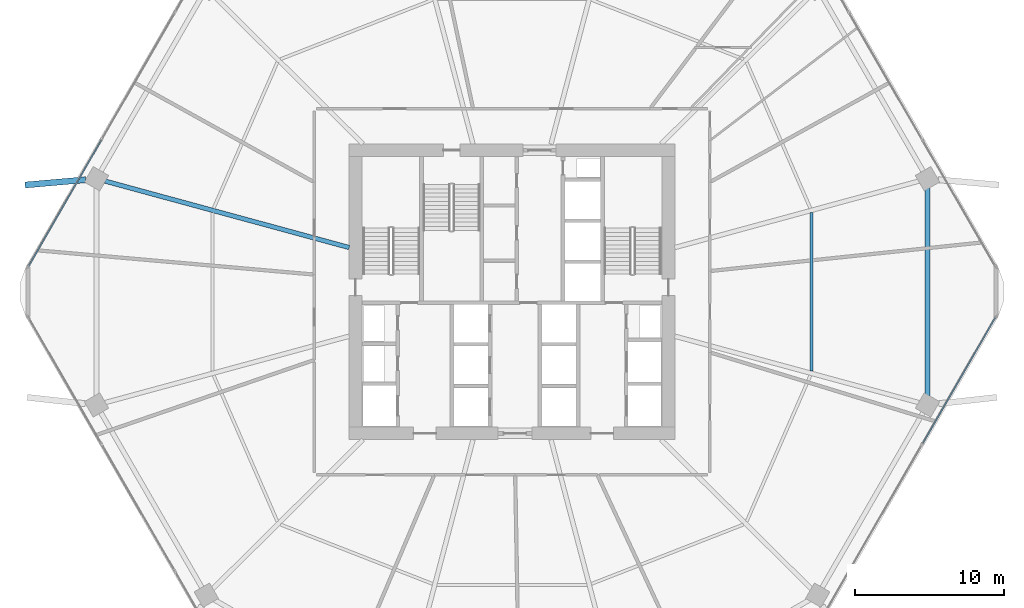
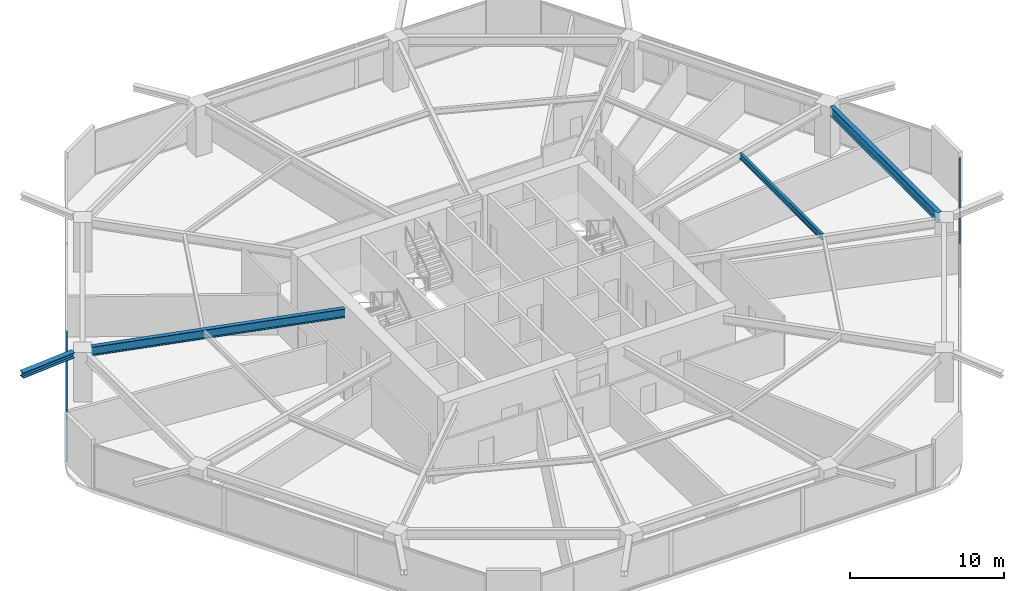
# One storey, part 12 of 25: 4 beams, 4 members, 2 elements without a shape of their own.
"""IFC4 building model written with IfcOpenShell, lengths in metres."""

from ifc_helpers import new_model, si_unit, direction, frame, origin, origin_2d, place, context, subcontext, project, spatial, hollow_rectangle, i_section, extrude, material, material_profile, profile_set, type_object, element, aggregate, save


model = new_model("IFC4")

# Units and contexts
model_context = context("Model", 3, precision=1e-05, world=origin(), true_north=direction((0.0, 1.0)))
body_context = subcontext(model_context, "Body", "Model", "MODEL_VIEW")
ifc_project = project(units=[si_unit("LENGTHUNIT", "METRE"), si_unit("AREAUNIT", "SQUARE_METRE"), si_unit("VOLUMEUNIT", "CUBIC_METRE"), si_unit("PLANEANGLEUNIT", "RADIAN"), si_unit("MASSUNIT", "GRAM", prefix="KILO")], contexts=[model_context])

# Site, building, storey
site_placement = place(None, origin())
site = spatial("IfcSite", under=ifc_project, at=site_placement, CompositionType="ELEMENT")
building_placement = place(site_placement, origin())
building = spatial("IfcBuilding", under=site, at=building_placement, Name="Zuhravey Tower", CompositionType="ELEMENT")
storey_placement = place(building_placement, frame((0.0, 0.0, 54.0)))
storey = spatial("IfcBuildingStorey", under=building, at=storey_placement, Name="L13", CompositionType="ELEMENT", Elevation=54.0)

# Curtain wall, members
ifc_material_1 = material(Name="Thermally broken anodised aluminium", Category="aluminium")
curtain_wall_type = type_object("IfcCurtainWallType", Name="School Low-E Unitised Curtain Wall CW1", PredefinedType="NOTDEFINED", material=ifc_material_1)
curtain_wall_1_placement = place(storey_placement, origin())
curtain_wall_1 = element("IfcCurtainWall", 1, at=curtain_wall_1_placement, inside=storey, type_object=curtain_wall_type, Name="L13 CW1 CW-L13-F6-1", PredefinedType="NOTDEFINED")
ifc_material_2 = material(Name="Anodised aluminium", Category="aluminium")
ifc_material_profile_1 = material_profile(ifc_material_2, hollow_rectangle(XDim=0.090087890625, YDim=0.14990234375, WallThickness=0.0048828125, at=origin_2d()), Name="ALU-RHS-90x150x5")
ifc_profile_set_1 = profile_set([ifc_material_profile_1], Name="Anodised aluminium")
member_type = type_object("IfcMemberType", Name="Curtain-Wall Transom 90x150", PredefinedType="USERDEFINED", material=ifc_profile_set_1)
member_1_placement = place(storey_placement, frame((68.43359375, 30.259521484375, 0.044921875), z_axis=(-0.500008393077, -0.866020557985, 0.0), x_axis=(0.866020557985, -0.500008393077, 0.0)))
member_1 = element("IfcMember", 2, at=member_1_placement, type_object=member_type, Name="CW1 transom 1.1", ObjectType="TRANSOM", PredefinedType="USERDEFINED", context=body_context, shape_type="SweptSolid", body=[
    extrude(hollow_rectangle(XDim=0.090087890625, YDim=0.14990234375, WallThickness=0.0048828125, at=origin_2d()), origin(), (0.0, 0.0, 1.0), 9.731201171875),
])
member_2_placement = place(storey_placement, frame((68.43359375, 30.259521484375, 3.447021484375), z_axis=(-0.500008393077, -0.866020557985, 0.0), x_axis=(0.866020557985, -0.500008393077, 0.0)))
member_2 = element("IfcMember", 3, at=member_2_placement, type_object=member_type, Name="CW1 transom 1.2", ObjectType="TRANSOM", PredefinedType="USERDEFINED", context=body_context, shape_type="SweptSolid", body=[
    extrude(hollow_rectangle(XDim=0.090087890625, YDim=0.14990234375, WallThickness=0.0048828125, at=origin_2d()), origin(), (0.0, 0.0, 1.0), 9.731201171875),
])
aggregate(curtain_wall_1, [member_1, member_2])

curtain_wall_2_placement = place(storey_placement, origin())
curtain_wall_2 = element("IfcCurtainWall", 4, at=curtain_wall_2_placement, inside=storey, type_object=curtain_wall_type, Name="L13 CW1 CW-L13-F3-1", PredefinedType="NOTDEFINED")
member_3_placement = place(storey_placement, frame((3.56640625, 33.740478515625, 0.044921875), z_axis=(0.500008393077, 0.866020557985, 0.0), x_axis=(-0.866020557985, 0.500008393077, 0.0)))
member_3 = element("IfcMember", 5, at=member_3_placement, type_object=member_type, Name="CW1 transom 1.1", ObjectType="TRANSOM", PredefinedType="USERDEFINED", context=body_context, shape_type="SweptSolid", body=[
    extrude(hollow_rectangle(XDim=0.090087890625, YDim=0.14990234375, WallThickness=0.0048828125, at=origin_2d()), origin(), (0.0, 0.0, 1.0), 9.731201171875),
])
member_4_placement = place(storey_placement, frame((3.56640625, 33.740478515625, 3.447021484375), z_axis=(0.500008393077, 0.866020557985, 0.0), x_axis=(-0.866020557985, 0.500008393077, 0.0)))
member_4 = element("IfcMember", 6, at=member_4_placement, type_object=member_type, Name="CW1 transom 1.2", ObjectType="TRANSOM", PredefinedType="USERDEFINED", context=body_context, shape_type="SweptSolid", body=[
    extrude(hollow_rectangle(XDim=0.090087890625, YDim=0.14990234375, WallThickness=0.0048828125, at=origin_2d()), origin(), (0.0, 0.0, 1.0), 9.731201171875),
])
aggregate(curtain_wall_2, [member_3, member_4])

# Beams
ifc_material_3 = material(Name="Steel SM460", Category="steel")
ifc_material_profile_2 = material_profile(ifc_material_3, i_section(OverallWidth=0.406982421875, OverallDepth=0.427978515625, WebThickness=0.02001953125, FlangeThickness=0.034912109375, at=origin_2d()), Name="H-428x407x20x35")
ifc_profile_set_2 = profile_set([ifc_material_profile_2], Name="Steel SM460")
beam_type_1 = type_object("IfcBeamType", Name="Exoskeleton Node Tie Beam H428x407", PredefinedType="BEAM", material=ifc_profile_set_2)
beam_1_placement = place(storey_placement, frame((7.377197265625, 39.52734375, 3.7060546875), z_axis=(-0.99618094896, -0.087312753533, 0.0), x_axis=(0.087312753533, -0.99618094896, 0.0)))
element("IfcBeam", 7, at=beam_1_placement, inside=storey, type_object=beam_type_1, Name="L13 Exoskeleton Node Tie NT1-06", PredefinedType="BEAM", context=body_context, shape_type="SweptSolid", body=[
    extrude(i_section(OverallWidth=0.406982421875, OverallDepth=0.427978515625, WebThickness=0.02001953125, FlangeThickness=0.034912109375, at=origin_2d()), origin(), (0.0, 0.0, 1.0), 4.0712890625),
])
ifc_material_4 = material(Name="Steel SM355", Category="steel")
ifc_material_profile_3 = material_profile(ifc_material_4, i_section(OverallWidth=0.320068359375, OverallDepth=0.75, WebThickness=0.013916015625, FlangeThickness=0.02490234375, at=origin_2d()), Name="H-750x320x14x25")
ifc_profile_set_3 = profile_set([ifc_material_profile_3], Name="Steel SM355")
beam_type_2 = type_object("IfcBeamType", Name="Perimeter Ring Beam H750x320", PredefinedType="BEAM", material=ifc_profile_set_3)
beam_2_placement = place(storey_placement, frame((63.88916015625, 25.011474609375, 3.544921875), z_axis=(0.0, 1.0, 0.0), x_axis=(-1.0, 0.0, 0.0)))
element("IfcBeam", 8, at=beam_2_placement, inside=storey, type_object=beam_type_2, Name="L13 PB1 BM-L13-PB-12", PredefinedType="BEAM", context=body_context, shape_type="SweptSolid", body=[
    extrude(i_section(OverallWidth=0.320068359375, OverallDepth=0.75, WebThickness=0.013916015625, FlangeThickness=0.02490234375, at=origin_2d()), origin(), (0.0, 0.0, 1.0), 13.97705078125),
])
ifc_material_profile_4 = material_profile(ifc_material_4, i_section(OverallWidth=0.300048828125, OverallDepth=0.699951171875, WebThickness=0.012939453125, FlangeThickness=0.02392578125, at=origin_2d()), Name="H-700x300x13x24")
ifc_profile_set_4 = profile_set([ifc_material_profile_4], Name="Steel SM355")
beam_type_3 = type_object("IfcBeamType", Name="Radial Primary Girder H700x300", PredefinedType="BEAM", material=ifc_profile_set_4)
beam_3_placement = place(storey_placement, frame((25.072021484375, 34.974609375, 3.570068359375), z_axis=(-0.964892480455, 0.26264520015, 0.0), x_axis=(-0.26264520015, -0.964892480455, 0.0)))
element("IfcBeam", 9, at=beam_3_placement, inside=storey, type_object=beam_type_3, Name="L13 RG1 BM-L13-RAD-06", PredefinedType="BEAM", context=body_context, shape_type="SweptSolid", body=[
    extrude(i_section(OverallWidth=0.300048828125, OverallDepth=0.699951171875, WebThickness=0.012939453125, FlangeThickness=0.02392578125, at=origin_2d()), origin(), (0.0, 0.0, 1.0), 16.975341796875),
])
ifc_material_profile_5 = material_profile(ifc_material_4, i_section(OverallWidth=0.199951171875, OverallDepth=0.449951171875, WebThickness=0.009033203125, FlangeThickness=0.013916015625, at=origin_2d()), Name="H-450x200x9x14")
ifc_profile_set_5 = profile_set([ifc_material_profile_5], Name="Steel SM355")
beam_type_4 = type_object("IfcBeamType", Name="Secondary Floor Joist H450x200", PredefinedType="JOIST", material=ifc_profile_set_5)
beam_4_placement = place(storey_placement, frame((56.0869140625, 26.686279296875, 3.695068359375), z_axis=(0.0, 1.0, 0.0), x_axis=(-1.0, 0.0, 0.0)))
element("IfcBeam", 10, at=beam_4_placement, inside=storey, type_object=beam_type_4, Name="L13 SJ1 BM-L13-SJ-12-1", PredefinedType="JOIST", context=body_context, shape_type="SweptSolid", body=[
    extrude(i_section(OverallWidth=0.199951171875, OverallDepth=0.449951171875, WebThickness=0.009033203125, FlangeThickness=0.013916015625, at=origin_2d()), origin(), (0.0, 0.0, 1.0), 10.62744140625),
])

save(model, "model.ifc")
